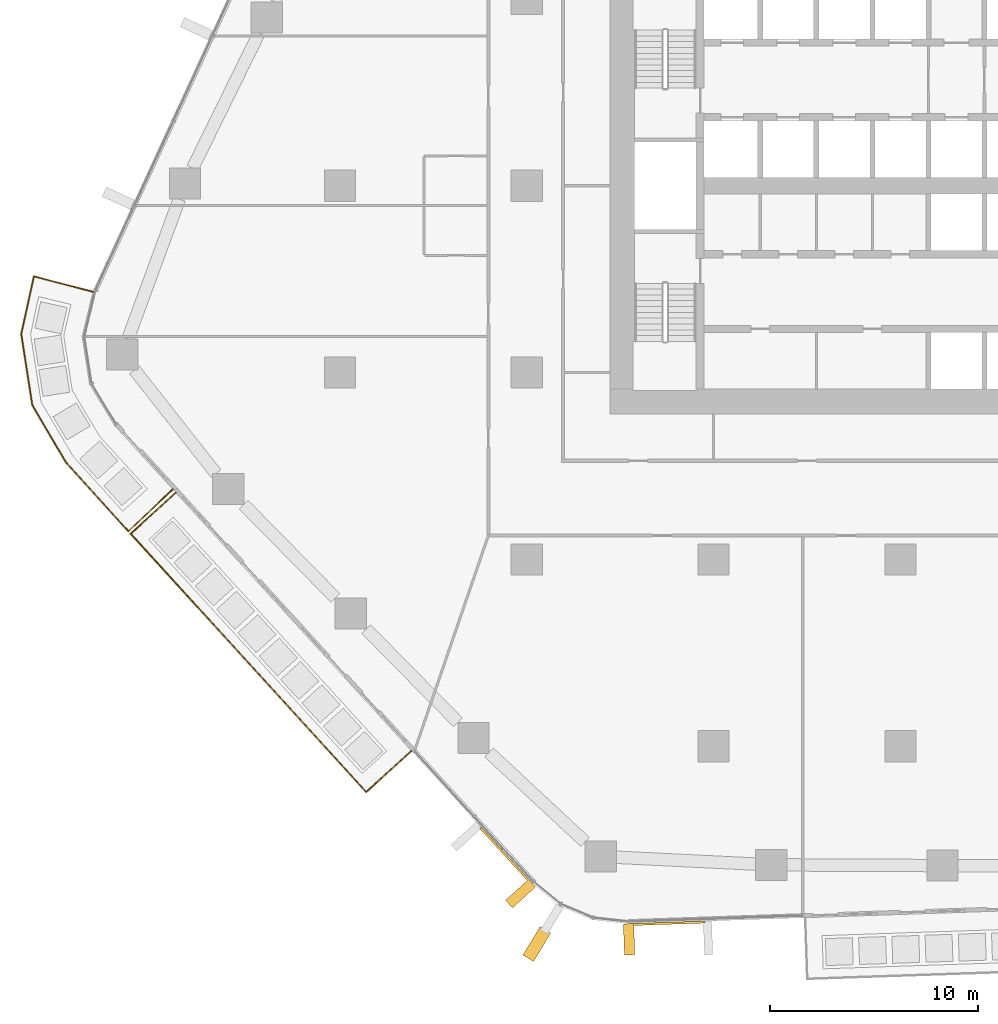
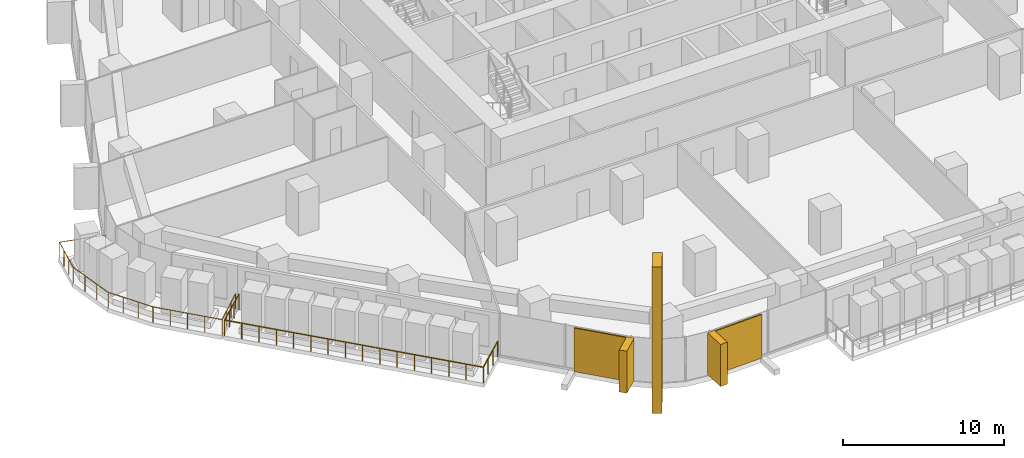
# One storey, part 19 of 26: 5 coverings, 2 railings, 3 elements without a shape of their own.
"""IFC4 building model written with IfcOpenShell, lengths in metres."""

from ifc_helpers import new_model, si_unit, direction, frame, origin, origin_2d, place, context, subcontext, project, spatial, rectangle, circle, extrude, material, layer, layer_set, material_profile, profile_set, type_object, element, aggregate, save


model = new_model("IFC4")

# Units and contexts
model_context = context("Model", 3, precision=1e-05, world=origin(), true_north=direction((0.0, 1.0)))
body_context = subcontext(model_context, "Body", "Model", "MODEL_VIEW")
ifc_project = project(units=[si_unit("LENGTHUNIT", "METRE"), si_unit("AREAUNIT", "SQUARE_METRE"), si_unit("VOLUMEUNIT", "CUBIC_METRE"), si_unit("PLANEANGLEUNIT", "RADIAN"), si_unit("MASSUNIT", "GRAM", prefix="KILO")], contexts=[model_context])

# Site, building, storey
site_placement = place(None, origin())
site = spatial("IfcSite", under=ifc_project, at=site_placement, CompositionType="ELEMENT")
building_placement = place(site_placement, origin())
building = spatial("IfcBuilding", under=site, at=building_placement, Name="Dongbaek Canopy Tower", CompositionType="ELEMENT")
storey_placement = place(building_placement, frame((0.0, 0.0, 66.199951171875)))
storey = spatial("IfcBuildingStorey", under=building, at=storey_placement, Name="L12", CompositionType="ELEMENT", Elevation=66.199951171875)

# Railings
ifc_material_1 = material(Name="Stainless steel", Category="steel")
railing_type = type_object("IfcRailingType", Name="Balcony balustrade 1200", PredefinedType="BALUSTRADE", material=ifc_material_1)
railing_1_placement = place(storey_placement, frame((-34.905517578125, -14.78515625, 0.0)))
element("IfcRailing", 1, at=railing_1_placement, inside=storey, type_object=railing_type, Name="Balcony guard L12 3", PredefinedType="BALUSTRADE", context=body_context, shape_type="SweptSolid", body=[
    extrude(circle(Radius=0.02392578125, at=origin_2d()), frame((0.0, 0.0, 1.17578125), z_axis=(-0.738751516829, -0.673977890129, 0.0), x_axis=(0.673977890129, -0.738751516829, 0.0)), (0.0, 0.0, 1.0), 2.93994140625),
    extrude(circle(Radius=0.02392578125, at=origin_2d()), frame((-2.171875, -1.9814453125, 1.17578125), z_axis=(0.674009340344, -0.738722822938, 0.0), x_axis=(0.738722822938, 0.674009340344, 0.0)), (0.0, 0.0, 1.0), 16.83349609375),
    extrude(circle(Radius=0.02392578125, at=origin_2d()), frame((9.174072265625, -14.416748046875, 1.17578125), z_axis=(0.738751516829, 0.673977890129, 0.0), x_axis=(-0.673977890129, 0.738751516829, 0.0)), (0.0, 0.0, 1.0), 2.93994140625),
    extrude(circle(Radius=0.02099609375, at=origin_2d()), origin(), (0.0, 0.0, 1.0), 1.15185546875),
    extrude(circle(Radius=0.02099609375, at=origin_2d()), frame((-0.723876953125, -0.660400390625, 0.0)), (0.0, 0.0, 1.0), 1.15185546875),
    extrude(circle(Radius=0.02099609375, at=origin_2d()), frame((-1.447998046875, -1.321044921875, 0.0)), (0.0, 0.0, 1.0), 1.15185546875),
    extrude(circle(Radius=0.02099609375, at=origin_2d()), frame((-2.171875, -1.9814453125, 0.0)), (0.0, 0.0, 1.0), 1.15185546875),
    extrude(circle(Radius=0.02099609375, at=origin_2d()), frame((-1.41552734375, -2.810546875, 0.0)), (0.0, 0.0, 1.0), 1.15185546875),
    extrude(circle(Radius=0.02099609375, at=origin_2d()), frame((-0.6591796875, -3.639404296875, 0.0)), (0.0, 0.0, 1.0), 1.15185546875),
    extrude(circle(Radius=0.02099609375, at=origin_2d()), frame((0.097412109375, -4.468505859375, 0.0)), (0.0, 0.0, 1.0), 1.15185546875),
    extrude(circle(Radius=0.02099609375, at=origin_2d()), frame((0.853759765625, -5.297607421875, 0.0)), (0.0, 0.0, 1.0), 1.15185546875),
    extrude(circle(Radius=0.02099609375, at=origin_2d()), frame((1.610107421875, -6.12646484375, 0.0)), (0.0, 0.0, 1.0), 1.15185546875),
    extrude(circle(Radius=0.02099609375, at=origin_2d()), frame((2.366455078125, -6.95556640625, 0.0)), (0.0, 0.0, 1.0), 1.15185546875),
    extrude(circle(Radius=0.02099609375, at=origin_2d()), frame((3.122802734375, -7.78466796875, 0.0)), (0.0, 0.0, 1.0), 1.15185546875),
    extrude(circle(Radius=0.02099609375, at=origin_2d()), frame((3.87939453125, -8.613525390625, 0.0)), (0.0, 0.0, 1.0), 1.15185546875),
    extrude(circle(Radius=0.02099609375, at=origin_2d()), frame((4.6357421875, -9.442626953125, 0.0)), (0.0, 0.0, 1.0), 1.15185546875),
    extrude(circle(Radius=0.02099609375, at=origin_2d()), frame((5.39208984375, -10.271728515625, 0.0)), (0.0, 0.0, 1.0), 1.15185546875),
    extrude(circle(Radius=0.02099609375, at=origin_2d()), frame((6.1484375, -11.1005859375, 0.0)), (0.0, 0.0, 1.0), 1.15185546875),
    extrude(circle(Radius=0.02099609375, at=origin_2d()), frame((6.90478515625, -11.9296875, 0.0)), (0.0, 0.0, 1.0), 1.15185546875),
    extrude(circle(Radius=0.02099609375, at=origin_2d()), frame((7.661376953125, -12.7587890625, 0.0)), (0.0, 0.0, 1.0), 1.15185546875),
    extrude(circle(Radius=0.02099609375, at=origin_2d()), frame((8.417724609375, -13.587646484375, 0.0)), (0.0, 0.0, 1.0), 1.15185546875),
    extrude(circle(Radius=0.02099609375, at=origin_2d()), frame((9.174072265625, -14.416748046875, 0.0)), (0.0, 0.0, 1.0), 1.15185546875),
    extrude(circle(Radius=0.02099609375, at=origin_2d()), frame((9.89794921875, -13.75634765625, 0.0)), (0.0, 0.0, 1.0), 1.15185546875),
    extrude(circle(Radius=0.02099609375, at=origin_2d()), frame((10.6220703125, -13.095703125, 0.0)), (0.0, 0.0, 1.0), 1.15185546875),
    extrude(circle(Radius=0.02099609375, at=origin_2d()), frame((11.345947265625, -12.435302734375, 0.0)), (0.0, 0.0, 1.0), 1.15185546875),
])
railing_2_placement = place(storey_placement, frame((-38.897216796875, -5.109130859375, 0.0)))
element("IfcRailing", 2, at=railing_2_placement, inside=storey, type_object=railing_type, Name="Balcony guard L12 7", PredefinedType="BALUSTRADE", context=body_context, shape_type="SweptSolid", body=[
    extrude(circle(Radius=0.02392578125, at=origin_2d()), frame((0.0, 0.0, 1.17578125), z_axis=(-0.967279624391, 0.253712688365, 0.0), x_axis=(-0.253712688365, -0.967279624391, 0.0)), (0.0, 0.0, 1.0), 2.940673828125),
    extrude(circle(Radius=0.02392578125, at=origin_2d()), frame((-2.844482421875, 0.74609375, 1.17578125), z_axis=(-0.214860147072, -0.976644826536, 0.0), x_axis=(0.976644826536, -0.214860147072, 0.0)), (0.0, 0.0, 1.0), 2.847412109375),
    extrude(circle(Radius=0.02392578125, at=origin_2d()), frame((-3.456298828125, -2.034912109375, 1.17578125), z_axis=(0.15356492792, -0.988138559572, 0.0), x_axis=(0.988138559572, 0.15356492792, 0.0)), (0.0, 0.0, 1.0), 3.46728515625),
    extrude(circle(Radius=0.02392578125, at=origin_2d()), frame((-2.923828125, -5.461181640625, 1.17578125), z_axis=(0.506738590349, -0.862099762818, 0.0), x_axis=(0.862099762818, 0.506738590349, 0.0)), (0.0, 0.0, 1.0), 3.18359375),
    extrude(circle(Radius=0.02392578125, at=origin_2d()), frame((-1.310546875, -8.205810546875, 1.17578125), z_axis=(0.671700008883, -0.74082325697, 0.0), x_axis=(0.74082325697, 0.671700008883, 0.0)), (0.0, 0.0, 1.0), 4.499755859375),
    extrude(circle(Radius=0.02392578125, at=origin_2d()), frame((1.7119140625, -11.539306640625, 1.17578125), z_axis=(0.724812845039, 0.688945817656, 0.0), x_axis=(-0.688945817656, 0.724812845039, 0.0)), (0.0, 0.0, 1.0), 2.9404296875),
    extrude(circle(Radius=0.02099609375, at=origin_2d()), origin(), (0.0, 0.0, 1.0), 1.15185546875),
    extrude(circle(Radius=0.02099609375, at=origin_2d()), frame((-0.9482421875, 0.248779296875, 0.0)), (0.0, 0.0, 1.0), 1.15185546875),
    extrude(circle(Radius=0.02099609375, at=origin_2d()), frame((-1.896240234375, 0.497314453125, 0.0)), (0.0, 0.0, 1.0), 1.15185546875),
    extrude(circle(Radius=0.02099609375, at=origin_2d()), frame((-2.844482421875, 0.74609375, 0.0)), (0.0, 0.0, 1.0), 1.15185546875),
    extrude(circle(Radius=0.02099609375, at=origin_2d()), frame((-3.04833984375, -0.180908203125, 0.0)), (0.0, 0.0, 1.0), 1.15185546875),
    extrude(circle(Radius=0.02099609375, at=origin_2d()), frame((-3.25244140625, -1.10791015625, 0.0)), (0.0, 0.0, 1.0), 1.15185546875),
    extrude(circle(Radius=0.02099609375, at=origin_2d()), frame((-3.456298828125, -2.034912109375, 0.0)), (0.0, 0.0, 1.0), 1.15185546875),
    extrude(circle(Radius=0.02099609375, at=origin_2d()), frame((-3.27880859375, -3.177001953125, 0.0)), (0.0, 0.0, 1.0), 1.15185546875),
    extrude(circle(Radius=0.02099609375, at=origin_2d()), frame((-3.101318359375, -4.319091796875, 0.0)), (0.0, 0.0, 1.0), 1.15185546875),
    extrude(circle(Radius=0.02099609375, at=origin_2d()), frame((-2.923828125, -5.461181640625, 0.0)), (0.0, 0.0, 1.0), 1.15185546875),
    extrude(circle(Radius=0.02099609375, at=origin_2d()), frame((-2.385986328125, -6.3759765625, 0.0)), (0.0, 0.0, 1.0), 1.15185546875),
    extrude(circle(Radius=0.02099609375, at=origin_2d()), frame((-1.848388671875, -7.291015625, 0.0)), (0.0, 0.0, 1.0), 1.15185546875),
    extrude(circle(Radius=0.02099609375, at=origin_2d()), frame((-1.310546875, -8.205810546875, 0.0)), (0.0, 0.0, 1.0), 1.15185546875),
    extrude(circle(Radius=0.02099609375, at=origin_2d()), frame((-0.554931640625, -9.0390625, 0.0)), (0.0, 0.0, 1.0), 1.15185546875),
    extrude(circle(Radius=0.02099609375, at=origin_2d()), frame((0.20068359375, -9.87255859375, 0.0)), (0.0, 0.0, 1.0), 1.15185546875),
    extrude(circle(Radius=0.02099609375, at=origin_2d()), frame((0.956298828125, -10.7060546875, 0.0)), (0.0, 0.0, 1.0), 1.15185546875),
    extrude(circle(Radius=0.02099609375, at=origin_2d()), frame((1.7119140625, -11.539306640625, 0.0)), (0.0, 0.0, 1.0), 1.15185546875),
    extrude(circle(Radius=0.02099609375, at=origin_2d()), frame((2.42236328125, -10.864013671875, 0.0)), (0.0, 0.0, 1.0), 1.15185546875),
    extrude(circle(Radius=0.02099609375, at=origin_2d()), frame((3.1328125, -10.188720703125, 0.0)), (0.0, 0.0, 1.0), 1.15185546875),
    extrude(circle(Radius=0.02099609375, at=origin_2d()), frame((3.84326171875, -9.513427734375, 0.0)), (0.0, 0.0, 1.0), 1.15185546875),
])

# Curtain wall, covering
ifc_material_2 = material(Name="Aluminium 6063-T6 pale anodised", Category="aluminium")
ifc_layer_1 = layer(ifc_material_2, 0.199951171875)
ifc_layer_set_1 = layer_set([ifc_layer_1], Name="CW-1 unitised tower curtain wall")
curtain_wall_type = type_object("IfcCurtainWallType", Name="CW-1 unitised tower curtain wall", PredefinedType="NOTDEFINED", material=ifc_layer_set_1)
curtain_wall_1_placement = place(storey_placement, origin())
curtain_wall_1 = element("IfcCurtainWall", 3, at=curtain_wall_1_placement, inside=storey, type_object=curtain_wall_type, Name="CW-1 curtain wall K4.1", PredefinedType="NOTDEFINED")
ifc_material_3 = material(Name="Aluminium 6063-T6 pale metal fin", Category="aluminium")
ifc_material_profile_1 = material_profile(ifc_material_3, rectangle(XDim=1.60009765625, YDim=0.60009765625, at=origin_2d()), Name="Corner fin CN1 600 x 1600 pale metal")
ifc_profile_set_1 = profile_set([ifc_material_profile_1], Name="Aluminium 6063-T6 pale metal fin")
covering_type_1 = type_object("IfcCoveringType", Name="Corner fin CN1 600 x 1600 pale metal", PredefinedType="CLADDING", material=ifc_profile_set_1)
covering_1_placement = place(storey_placement, frame((-17.515625, -36.534912109375, -0.199951171875), z_axis=(0.0, 0.0, 1.0), x_axis=(-0.516534823334, -0.856266183078, 0.0)))
covering_1 = element("IfcCovering", 4, at=covering_1_placement, type_object=covering_type_1, Name="Corner fin L12 L14 K4", PredefinedType="CLADDING", context=body_context, shape_type="SweptSolid", body=[
    extrude(rectangle(XDim=1.60009765625, YDim=0.60009765625, at=origin_2d()), origin(), (0.0, 0.0, 1.0), 11.080078125),
])
aggregate(curtain_wall_1, [covering_1])

curtain_wall_2_placement = place(storey_placement, origin())
curtain_wall_2 = element("IfcCurtainWall", 5, at=curtain_wall_2_placement, inside=storey, type_object=curtain_wall_type, Name="CW-1 curtain wall F3.1", PredefinedType="NOTDEFINED")
ifc_material_4 = material(Name="Perforated aluminium 6063-T6 pale metal screen", Category="aluminium")
ifc_layer_2 = layer(ifc_material_4, 0.10009765625)
ifc_layer_set_2 = layer_set([ifc_layer_2], Name="Facet screen FS1 100 pale metal")
covering_type_2 = type_object("IfcCoveringType", Name="Facet screen FS1 100 pale metal", PredefinedType="CLADDING", material=ifc_layer_set_2)
covering_2_placement = place(storey_placement, frame((-19.1044921875, -32.17138671875, 0.0), z_axis=(0.0, 0.0, 1.0), x_axis=(0.674012344864, -0.738720081608, 0.0)))
covering_2 = element("IfcCovering", 6, at=covering_2_placement, type_object=covering_type_2, Name="Facet screen L12 F3", PredefinedType="CLADDING", context=body_context, shape_type="SweptSolid", body=[
    extrude(rectangle(XDim=3.35888671875, YDim=0.10009765625, at=origin_2d()), origin(), (0.0, 0.0, 1.0), 3.300048828125),
])

curtain_wall_3_placement = place(storey_placement, origin())
curtain_wall_3 = element("IfcCurtainWall", 7, at=curtain_wall_3_placement, inside=storey, type_object=curtain_wall_type, Name="CW-1 curtain wall F4.1", PredefinedType="NOTDEFINED")
covering_3_placement = place(storey_placement, frame((-11.125244140625, -35.531982421875, 0.0), z_axis=(0.0, 0.0, 1.0), x_axis=(0.999424104595, 0.03393315715, 0.0)))
covering_3 = element("IfcCovering", 8, at=covering_3_placement, type_object=covering_type_2, Name="Facet screen L12 F4", PredefinedType="CLADDING", context=body_context, shape_type="SweptSolid", body=[
    extrude(rectangle(XDim=3.35888671875, YDim=0.10009765625, at=origin_2d()), origin(), (0.0, 0.0, 1.0), 3.300048828125),
])

# Covering
ifc_material_5 = material(Name="Aluminium 6063-T6 pale metal fin", Category="aluminium")
ifc_material_profile_2 = material_profile(ifc_material_5, rectangle(XDim=1.5, YDim=0.5, at=origin_2d()), Name="Fin FN1 500 x 1500 pale metal")
ifc_profile_set_2 = profile_set([ifc_material_profile_2], Name="Aluminium 6063-T6 pale metal fin")
covering_type_3 = type_object("IfcCoveringType", Name="Fin FN1 500 x 1500 pale metal", PredefinedType="CLADDING", material=ifc_profile_set_2)
covering_4_placement = place(storey_placement, frame((-18.297119140625, -34.1005859375, 0.1201171875), z_axis=(0.0, 0.0, 1.0), x_axis=(-0.738720005108, -0.674012428708, 0.0)))
covering_4 = element("IfcCovering", 9, at=covering_4_placement, type_object=covering_type_3, Name="Fin F3.1.3", PredefinedType="CLADDING", context=body_context, shape_type="SweptSolid", body=[
    extrude(rectangle(XDim=1.5, YDim=0.5, at=origin_2d()), origin(), (0.0, 0.0, 1.0), 3.179931640625),
])

aggregate(curtain_wall_2, [covering_4, covering_2])

covering_5_placement = place(storey_placement, frame((-13.069580078125, -36.30224609375, 0.1201171875), z_axis=(0.0, 0.0, 1.0), x_axis=(0.033932734012, -0.999424118962, 0.0)))
covering_5 = element("IfcCovering", 10, at=covering_5_placement, type_object=covering_type_3, Name="Fin F4.1.1", PredefinedType="CLADDING", context=body_context, shape_type="SweptSolid", body=[
    extrude(rectangle(XDim=1.5, YDim=0.5, at=origin_2d()), origin(), (0.0, 0.0, 1.0), 3.179931640625),
])

aggregate(curtain_wall_3, [covering_5, covering_3])

save(model, "model.ifc")
